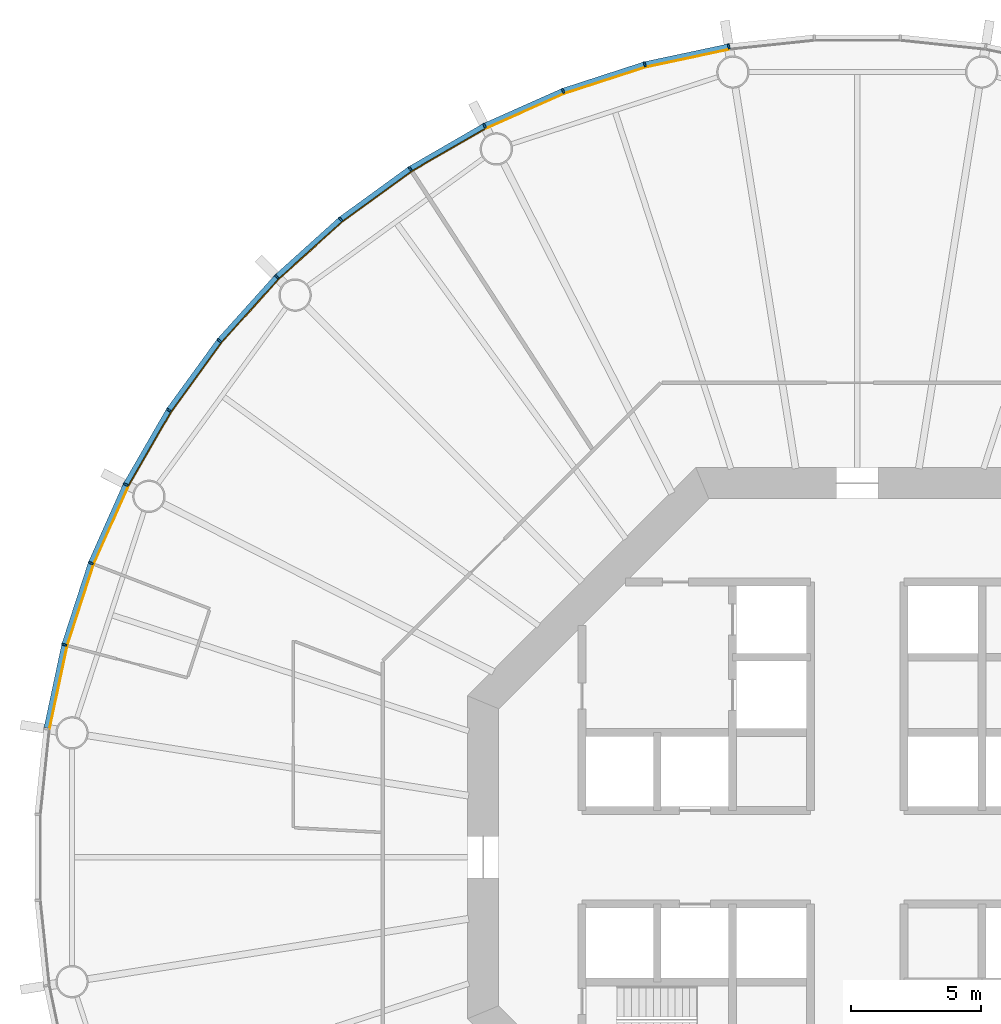
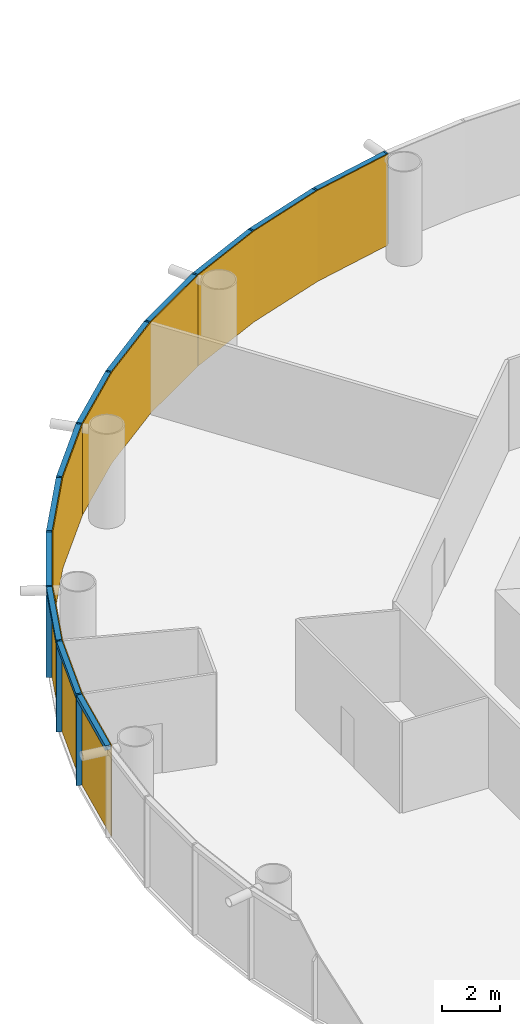
# One storey, part 9 of 12: 24 members, 4 curtain walls.
"""IFC4 building model written with IfcOpenShell, lengths in metres."""

from ifc_helpers import new_model, si_unit, direction, frame, origin, origin_2d, place, context, subcontext, project, spatial, polyline, rectangle, outline, extrude, material, layer, layer_set, material_profile, profile_set, type_object, element, aggregate, save


model = new_model("IFC4")

# Units and contexts
model_context = context("Model", 3, precision=1e-05, world=origin(), true_north=direction((0.0, 1.0)))
body_context = subcontext(model_context, "Body", "Model", "MODEL_VIEW")
ifc_project = project(units=[si_unit("LENGTHUNIT", "METRE"), si_unit("AREAUNIT", "SQUARE_METRE"), si_unit("VOLUMEUNIT", "CUBIC_METRE"), si_unit("PLANEANGLEUNIT", "RADIAN"), si_unit("MASSUNIT", "GRAM", prefix="KILO")], contexts=[model_context])

# Member
ifc_material_1 = material(Name="Anodised aluminium", Category="aluminium")
ifc_material_profile_1 = material_profile(ifc_material_1, rectangle(XDim=0.070068359375, YDim=0.199951171875, at=origin_2d()), Name="Mullion 70 x 200 mm anodised aluminium")
ifc_profile_set_1 = profile_set([ifc_material_profile_1], Name="Anodised aluminium")
member_type_1 = type_object("IfcMemberType", Name="Mullion 70 x 200 mm anodised aluminium", PredefinedType="MULLION", material=ifc_profile_set_1)
site_placement = place(None, origin())
building_placement = place(site_placement, origin())
storey_placement = place(building_placement, frame((0.0, 0.0, 128.0)))
member_1_placement = place(storey_placement, frame((85.056640625, 111.2109375, 0.0), z_axis=(0.0, 0.0, 1.0), x_axis=(-0.987688340595, -0.15643446504, 0.0)))
member_1 = element("IfcMember", 1, at=member_1_placement, type_object=member_type_1, Name="MULLION L29-15", PredefinedType="MULLION", context=body_context, shape_type="SweptSolid", body=[
    extrude(rectangle(XDim=0.070068359375, YDim=0.199951171875, at=origin_2d()), origin(), (0.0, 0.0, 1.0), 3.85009765625),
])

member_2_placement = place(storey_placement, frame((81.8212890625, 110.523193359375, 0.0), z_axis=(0.0, 0.0, 1.0), x_axis=(-0.965925826289, -0.258819045103, 0.0)))
member_2 = element("IfcMember", 2, at=member_2_placement, type_object=member_type_1, Name="MULLION L29-16", PredefinedType="MULLION", context=body_context, shape_type="SweptSolid", body=[
    extrude(rectangle(XDim=0.070068359375, YDim=0.199951171875, at=origin_2d()), origin(), (0.0, 0.0, 1.0), 3.85009765625),
])

member_3_placement = place(storey_placement, frame((78.675537109375, 109.501220703125, 0.0), z_axis=(0.0, 0.0, 1.0), x_axis=(-0.933580426497, -0.358367949545, 0.0)))
member_3 = element("IfcMember", 3, at=member_3_placement, type_object=member_type_1, Name="MULLION L29-17", PredefinedType="MULLION", context=body_context, shape_type="SweptSolid", body=[
    extrude(rectangle(XDim=0.070068359375, YDim=0.199951171875, at=origin_2d()), origin(), (0.0, 0.0, 1.0), 3.85009765625),
])

member_4_placement = place(storey_placement, frame((75.65380859375, 108.15576171875, 0.0), z_axis=(0.0, 0.0, 1.0), x_axis=(-0.891006524188, -0.45399049974, 0.0)))
member_4 = element("IfcMember", 4, at=member_4_placement, type_object=member_type_1, Name="MULLION L29-18", PredefinedType="MULLION", context=body_context, shape_type="SweptSolid", body=[
    extrude(rectangle(XDim=0.070068359375, YDim=0.199951171875, at=origin_2d()), origin(), (0.0, 0.0, 1.0), 3.85009765625),
])

member_5_placement = place(storey_placement, frame((72.789306640625, 106.501953125, 0.0), z_axis=(0.0, 0.0, 1.0), x_axis=(-0.838670567945, -0.544639035015, 0.0)))
member_5 = element("IfcMember", 5, at=member_5_placement, type_object=member_type_1, Name="MULLION L29-19", PredefinedType="MULLION", context=body_context, shape_type="SweptSolid", body=[
    extrude(rectangle(XDim=0.070068359375, YDim=0.199951171875, at=origin_2d()), origin(), (0.0, 0.0, 1.0), 3.85009765625),
])

member_6_placement = place(storey_placement, frame((70.113525390625, 104.557861328125, 0.0), z_axis=(0.0, 0.0, 1.0), x_axis=(-0.777145961457, -0.62932039105, 0.0)))
member_6 = element("IfcMember", 6, at=member_6_placement, type_object=member_type_1, Name="MULLION L29-20", PredefinedType="MULLION", context=body_context, shape_type="SweptSolid", body=[
    extrude(rectangle(XDim=0.070068359375, YDim=0.199951171875, at=origin_2d()), origin(), (0.0, 0.0, 1.0), 3.85009765625),
])

member_7_placement = place(storey_placement, frame((67.655517578125, 102.344482421875, 0.0), z_axis=(0.0, 0.0, 1.0), x_axis=(-0.707106781187, -0.707106781187, 0.0)))
member_7 = element("IfcMember", 7, at=member_7_placement, type_object=member_type_1, Name="MULLION L29-21", PredefinedType="MULLION", context=body_context, shape_type="SweptSolid", body=[
    extrude(rectangle(XDim=0.070068359375, YDim=0.199951171875, at=origin_2d()), origin(), (0.0, 0.0, 1.0), 3.85009765625),
])

member_8_placement = place(storey_placement, frame((65.442138671875, 99.886474609375, 0.0), z_axis=(0.0, 0.0, 1.0), x_axis=(-0.62932039105, -0.777145961457, 0.0)))
member_8 = element("IfcMember", 8, at=member_8_placement, type_object=member_type_1, Name="MULLION L29-22", PredefinedType="MULLION", context=body_context, shape_type="SweptSolid", body=[
    extrude(rectangle(XDim=0.070068359375, YDim=0.199951171875, at=origin_2d()), origin(), (0.0, 0.0, 1.0), 3.85009765625),
])

member_9_placement = place(storey_placement, frame((63.498046875, 97.210693359375, 0.0), z_axis=(0.0, 0.0, 1.0), x_axis=(-0.544639035015, -0.838670567945, 0.0)))
member_9 = element("IfcMember", 9, at=member_9_placement, type_object=member_type_1, Name="MULLION L29-23", PredefinedType="MULLION", context=body_context, shape_type="SweptSolid", body=[
    extrude(rectangle(XDim=0.070068359375, YDim=0.199951171875, at=origin_2d()), origin(), (0.0, 0.0, 1.0), 3.85009765625),
])

member_10_placement = place(storey_placement, frame((61.84423828125, 94.34619140625, 0.0), z_axis=(0.0, 0.0, 1.0), x_axis=(-0.45399049974, -0.891006524188, 0.0)))
member_10 = element("IfcMember", 10, at=member_10_placement, type_object=member_type_1, Name="MULLION L29-24", PredefinedType="MULLION", context=body_context, shape_type="SweptSolid", body=[
    extrude(rectangle(XDim=0.070068359375, YDim=0.199951171875, at=origin_2d()), origin(), (0.0, 0.0, 1.0), 3.85009765625),
])

member_11_placement = place(storey_placement, frame((60.498779296875, 91.324462890625, 0.0), z_axis=(0.0, 0.0, 1.0), x_axis=(-0.358367949545, -0.933580426497, 0.0)))
member_11 = element("IfcMember", 11, at=member_11_placement, type_object=member_type_1, Name="MULLION L29-25", PredefinedType="MULLION", context=body_context, shape_type="SweptSolid", body=[
    extrude(rectangle(XDim=0.070068359375, YDim=0.199951171875, at=origin_2d()), origin(), (0.0, 0.0, 1.0), 3.85009765625),
])

member_12_placement = place(storey_placement, frame((59.476806640625, 88.1787109375, 0.0), z_axis=(0.0, 0.0, 1.0), x_axis=(-0.258819045103, -0.965925826289, 0.0)))
member_12 = element("IfcMember", 12, at=member_12_placement, type_object=member_type_1, Name="MULLION L29-26", PredefinedType="MULLION", context=body_context, shape_type="SweptSolid", body=[
    extrude(rectangle(XDim=0.070068359375, YDim=0.199951171875, at=origin_2d()), origin(), (0.0, 0.0, 1.0), 3.85009765625),
])

ifc_material_2 = material(Name="Anodised aluminium", Category="aluminium")
ifc_material_profile_2 = material_profile(ifc_material_2, rectangle(XDim=0.199951171875, YDim=0.18994140625, at=origin_2d()), Name="Transom 190 x 200 mm anodised aluminium")
ifc_profile_set_2 = profile_set([ifc_material_profile_2], Name="Anodised aluminium")
member_type_2 = type_object("IfcMemberType", Name="Transom 190 x 200 mm anodised aluminium", PredefinedType="USERDEFINED", material=ifc_profile_set_2)
member_13_placement = place(storey_placement, frame((85.017333984375, 111.20263671875, 3.7548828125), z_axis=(-0.978153082647, -0.207885898771, 0.0), x_axis=(0.207885898771, -0.978153082647, 0.0)))
member_13 = element("IfcMember", 13, at=member_13_placement, type_object=member_type_2, Name="TRANSOM L29-15", ObjectType="TRANSOM", PredefinedType="USERDEFINED", context=body_context, shape_type="SweptSolid", body=[
    extrude(rectangle(XDim=0.199951171875, YDim=0.18994140625, at=origin_2d()), origin(), (0.0, 0.0, 1.0), 3.227294921875),
])

member_14_placement = place(storey_placement, frame((81.782958984375, 110.510986328125, 3.7548828125), z_axis=(-0.951046855117, -0.309046726844, 0.0), x_axis=(0.309046726844, -0.951046855117, 0.0)))
member_14 = element("IfcMember", 14, at=member_14_placement, type_object=member_type_2, Name="TRANSOM L29-16", ObjectType="TRANSOM", PredefinedType="USERDEFINED", context=body_context, shape_type="SweptSolid", body=[
    extrude(rectangle(XDim=0.199951171875, YDim=0.18994140625, at=origin_2d()), origin(), (0.0, 0.0, 1.0), 3.22705078125),
])

member_15_placement = place(storey_placement, frame((78.638671875, 109.48486328125, 3.7548828125), z_axis=(-0.913549291349, -0.406728032322, 0.0), x_axis=(0.406728032322, -0.913549291349, 0.0)))
member_15 = element("IfcMember", 15, at=member_15_placement, type_object=member_type_2, Name="TRANSOM L29-17", ObjectType="TRANSOM", PredefinedType="USERDEFINED", context=body_context, shape_type="SweptSolid", body=[
    extrude(rectangle(XDim=0.199951171875, YDim=0.18994140625, at=origin_2d()), origin(), (0.0, 0.0, 1.0), 3.22705078125),
])

member_16_placement = place(storey_placement, frame((75.618896484375, 108.1357421875, 3.7548828125), z_axis=(-0.866023062494, -0.500004055213, 0.0), x_axis=(0.500004055213, -0.866023062494, 0.0)))
member_16 = element("IfcMember", 16, at=member_16_placement, type_object=member_type_2, Name="TRANSOM L29-18", ObjectType="TRANSOM", PredefinedType="USERDEFINED", context=body_context, shape_type="SweptSolid", body=[
    extrude(rectangle(XDim=0.199951171875, YDim=0.18994140625, at=origin_2d()), origin(), (0.0, 0.0, 1.0), 3.22705078125),
])

member_17_placement = place(storey_placement, frame((72.7568359375, 106.478515625, 3.7548828125), z_axis=(-0.809004252048, -0.587802790201, 0.0), x_axis=(0.587802790201, -0.809004252048, 0.0)))
member_17 = element("IfcMember", 17, at=member_17_placement, type_object=member_type_2, Name="TRANSOM L29-19", ObjectType="TRANSOM", PredefinedType="USERDEFINED", context=body_context, shape_type="SweptSolid", body=[
    extrude(rectangle(XDim=0.199951171875, YDim=0.18994140625, at=origin_2d()), origin(), (0.0, 0.0, 1.0), 3.227294921875),
])

member_18_placement = place(storey_placement, frame((70.08349609375, 104.531005859375, 3.7548828125), z_axis=(-0.743132370743, -0.669144438484, 0.0), x_axis=(0.669144438484, -0.743132370743, 0.0)))
member_18 = element("IfcMember", 18, at=member_18_placement, type_object=member_type_2, Name="TRANSOM L29-20", ObjectType="TRANSOM", PredefinedType="USERDEFINED", context=body_context, shape_type="SweptSolid", body=[
    extrude(rectangle(XDim=0.199951171875, YDim=0.18994140625, at=origin_2d()), origin(), (0.0, 0.0, 1.0), 3.22705078125),
])

member_19_placement = place(storey_placement, frame((67.62841796875, 102.314697265625, 3.7548828125), z_axis=(-0.669144438484, -0.743132370743, 0.0), x_axis=(0.743132370743, -0.669144438484, 0.0)))
member_19 = element("IfcMember", 19, at=member_19_placement, type_object=member_type_2, Name="TRANSOM L29-21", ObjectType="TRANSOM", PredefinedType="USERDEFINED", context=body_context, shape_type="SweptSolid", body=[
    extrude(rectangle(XDim=0.199951171875, YDim=0.18994140625, at=origin_2d()), origin(), (0.0, 0.0, 1.0), 3.22705078125),
])

member_20_placement = place(storey_placement, frame((65.41845703125, 99.85400390625, 3.7548828125), z_axis=(-0.587802790201, -0.809004252048, 0.0), x_axis=(0.809004252048, -0.587802790201, 0.0)))
member_20 = element("IfcMember", 20, at=member_20_placement, type_object=member_type_2, Name="TRANSOM L29-22", ObjectType="TRANSOM", PredefinedType="USERDEFINED", context=body_context, shape_type="SweptSolid", body=[
    extrude(rectangle(XDim=0.199951171875, YDim=0.18994140625, at=origin_2d()), origin(), (0.0, 0.0, 1.0), 3.227294921875),
])

member_21_placement = place(storey_placement, frame((63.477783203125, 97.17578125, 3.7548828125), z_axis=(-0.500004055213, -0.866023062494, 0.0), x_axis=(0.866023062494, -0.500004055213, 0.0)))
member_21 = element("IfcMember", 21, at=member_21_placement, type_object=member_type_2, Name="TRANSOM L29-23", ObjectType="TRANSOM", PredefinedType="USERDEFINED", context=body_context, shape_type="SweptSolid", body=[
    extrude(rectangle(XDim=0.199951171875, YDim=0.18994140625, at=origin_2d()), origin(), (0.0, 0.0, 1.0), 3.22705078125),
])

member_22_placement = place(storey_placement, frame((61.82763671875, 94.309326171875, 3.7548828125), z_axis=(-0.406728032322, -0.913549291349, 0.0), x_axis=(0.913549291349, -0.406728032322, 0.0)))
member_22 = element("IfcMember", 22, at=member_22_placement, type_object=member_type_2, Name="TRANSOM L29-24", ObjectType="TRANSOM", PredefinedType="USERDEFINED", context=body_context, shape_type="SweptSolid", body=[
    extrude(rectangle(XDim=0.199951171875, YDim=0.18994140625, at=origin_2d()), origin(), (0.0, 0.0, 1.0), 3.22705078125),
])

member_23_placement = place(storey_placement, frame((60.486328125, 91.2861328125, 3.7548828125), z_axis=(-0.309046726844, -0.951046855117, 0.0), x_axis=(0.951046855117, -0.309046726844, 0.0)))
member_23 = element("IfcMember", 23, at=member_23_placement, type_object=member_type_2, Name="TRANSOM L29-25", ObjectType="TRANSOM", PredefinedType="USERDEFINED", context=body_context, shape_type="SweptSolid", body=[
    extrude(rectangle(XDim=0.199951171875, YDim=0.18994140625, at=origin_2d()), origin(), (0.0, 0.0, 1.0), 3.22705078125),
])

member_24_placement = place(storey_placement, frame((59.46826171875, 88.139404296875, 3.7548828125), z_axis=(-0.207885898771, -0.978153082647, 0.0), x_axis=(0.978153082647, -0.207885898771, 0.0)))
member_24 = element("IfcMember", 24, at=member_24_placement, type_object=member_type_2, Name="TRANSOM L29-26", ObjectType="TRANSOM", PredefinedType="USERDEFINED", context=body_context, shape_type="SweptSolid", body=[
    extrude(rectangle(XDim=0.199951171875, YDim=0.18994140625, at=origin_2d()), origin(), (0.0, 0.0, 1.0), 3.227294921875),
])

# Site, building, storey
site = spatial("IfcSite", under=ifc_project, at=site_placement, CompositionType="ELEMENT")
building = spatial("IfcBuilding", under=site, at=building_placement, Name="Entoto Ring Tower", CompositionType="ELEMENT")
storey = spatial("IfcBuildingStorey", under=building, at=storey_placement, Name="L29", CompositionType="ELEMENT", Elevation=128.0)

# Curtain wall
ifc_material_3 = material(Name="Clear low-iron glass", Category="glass")
ifc_layer = layer(ifc_material_3, 0.035888671875)
ifc_layer_set = layer_set([ifc_layer], Name="Clear low-iron glass")
curtain_wall_type = type_object("IfcCurtainWallType", Name="Curtain wall system CW2 glazing 36 mm", PredefinedType="NOTDEFINED", material=ifc_layer_set)
curtain_wall_1_placement = place(storey_placement, origin())
curtain_wall_1 = element("IfcCurtainWall", 25, at=curtain_wall_1_placement, inside=storey, type_object=curtain_wall_type, Name="CW2 L29-06", PredefinedType="NOTDEFINED", context=body_context, shape_type="SweptSolid", body=[
    extrude(outline(polyline([(85.072265625, 111.1123046875), (81.84716796875, 110.4267578125), (78.71142578125, 109.40771484375), (75.69921875, 108.066650390625), (75.715576171875, 108.03466796875), (78.724365234375, 109.3740234375), (81.8564453125, 110.391845703125), (85.077880859375, 111.07666015625), (85.072265625, 111.1123046875)])), origin(), (0.0, 0.0, 1.0), 3.85009765625),
])

aggregate(curtain_wall_1, [member_1, member_2, member_3, member_13, member_14, member_15])

curtain_wall_2_placement = place(storey_placement, origin())
curtain_wall_2 = element("IfcCurtainWall", 26, at=curtain_wall_2_placement, inside=storey, type_object=curtain_wall_type, Name="CW2 L29-07", PredefinedType="NOTDEFINED", context=body_context, shape_type="SweptSolid", body=[
    extrude(outline(polyline([(75.69921875, 108.066650390625), (72.84375, 106.418212890625), (70.176513671875, 104.47998046875), (67.72607421875, 102.27392578125), (67.751708984375, 102.248291015625), (70.198974609375, 104.4521484375), (72.863525390625, 106.387939453125), (75.715576171875, 108.03466796875), (75.69921875, 108.066650390625)])), origin(), (0.0, 0.0, 1.0), 3.85009765625),
])

aggregate(curtain_wall_2, [member_4, member_5, member_6, member_16, member_17, member_18])

curtain_wall_3_placement = place(storey_placement, origin())
curtain_wall_3 = element("IfcCurtainWall", 27, at=curtain_wall_3_placement, inside=storey, type_object=curtain_wall_type, Name="CW2 L29-08", PredefinedType="NOTDEFINED", context=body_context, shape_type="SweptSolid", body=[
    extrude(outline(polyline([(67.72607421875, 102.27392578125), (65.52001953125, 99.823486328125), (63.581787109375, 97.15625), (61.933349609375, 94.30078125), (61.96533203125, 94.284423828125), (63.612060546875, 97.136474609375), (65.5478515625, 99.801025390625), (67.751708984375, 102.248291015625), (67.72607421875, 102.27392578125)])), origin(), (0.0, 0.0, 1.0), 3.85009765625),
])

aggregate(curtain_wall_3, [member_7, member_8, member_9, member_19, member_20, member_21])

curtain_wall_4_placement = place(storey_placement, origin())
curtain_wall_4 = element("IfcCurtainWall", 28, at=curtain_wall_4_placement, inside=storey, type_object=curtain_wall_type, Name="CW2 L29-09", PredefinedType="NOTDEFINED", context=body_context, shape_type="SweptSolid", body=[
    extrude(outline(polyline([(61.933349609375, 94.30078125), (60.59228515625, 91.28857421875), (59.5732421875, 88.15283203125), (58.8876953125, 84.927734375), (58.92333984375, 84.922119140625), (59.608154296875, 88.1435546875), (60.6259765625, 91.275634765625), (61.96533203125, 94.284423828125), (61.933349609375, 94.30078125)])), origin(), (0.0, 0.0, 1.0), 3.85009765625),
])

aggregate(curtain_wall_4, [member_10, member_11, member_12, member_22, member_23, member_24])

save(model, "model.ifc")
